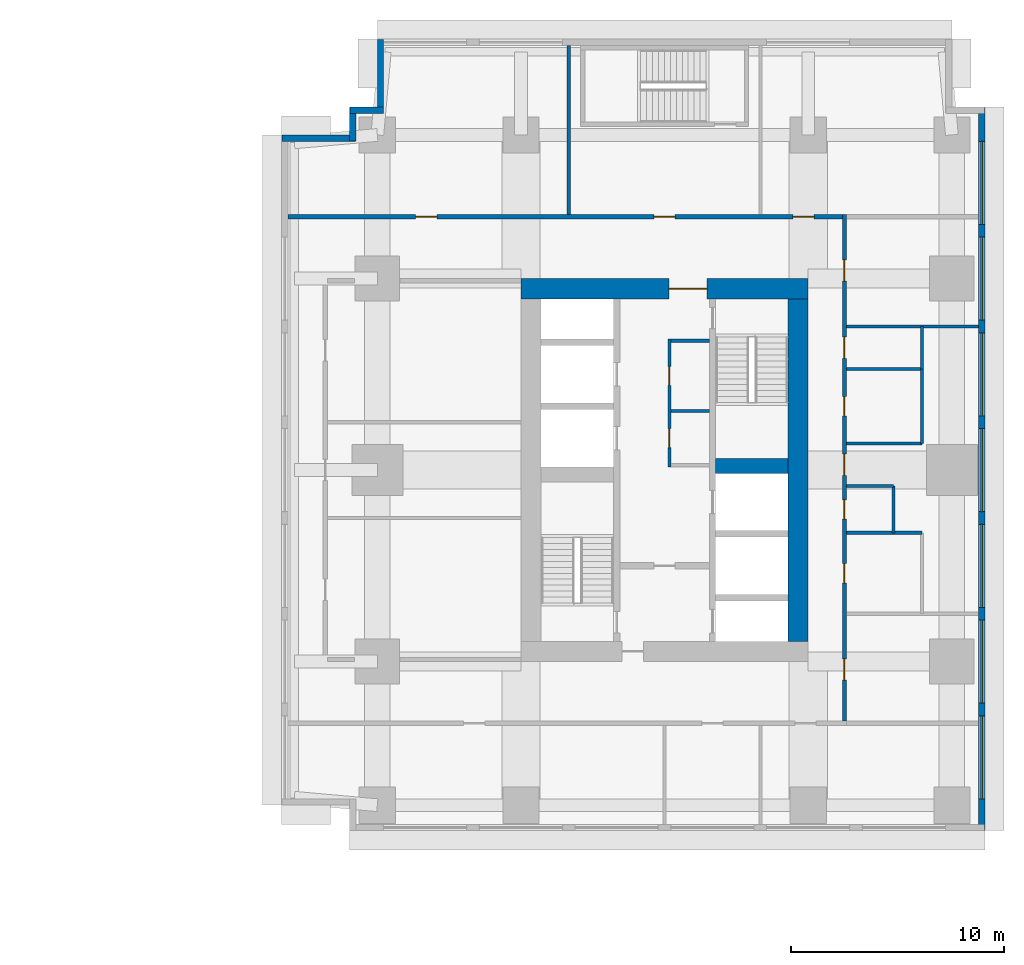
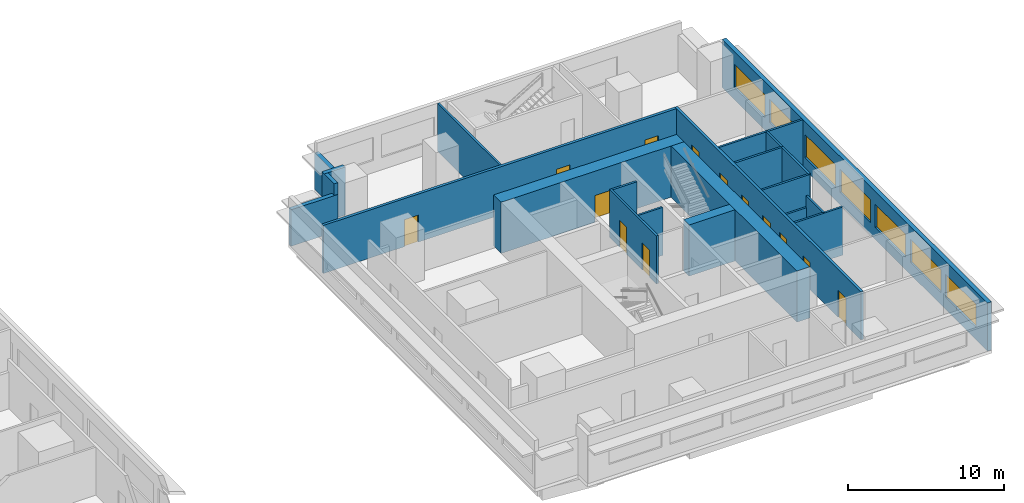
# One storey, part 7 of 11: 22 walls, 13 doors, 7 windows, 20 openings.
"""IFC4 building model written with IfcOpenShell, lengths in metres."""

from ifc_helpers import new_model, si_unit, direction, frame, frame_2d, origin, place, context, subcontext, project, spatial, rectangle, extrude, material, layer, layer_set, type_object, element, fill, save


model = new_model("IFC4")

# Units and contexts
model_context = context("Model", 3, precision=1e-05, world=origin(), true_north=direction((0.0, 1.0)))
body_context = subcontext(model_context, "Body", "Model", "MODEL_VIEW")
ifc_project = project(units=[si_unit("LENGTHUNIT", "METRE"), si_unit("AREAUNIT", "SQUARE_METRE"), si_unit("VOLUMEUNIT", "CUBIC_METRE"), si_unit("PLANEANGLEUNIT", "RADIAN"), si_unit("MASSUNIT", "GRAM", prefix="KILO")], contexts=[model_context])

# Site, building, storey
site_placement = place(None, origin())
site = spatial("IfcSite", under=ifc_project, at=site_placement, CompositionType="ELEMENT")
building_placement = place(site_placement, origin())
building = spatial("IfcBuilding", under=site, at=building_placement, Name="Namib Vertical Campus", CompositionType="ELEMENT")
storey_placement = place(building_placement, frame((0.0, 0.0, 97.0)))
storey = spatial("IfcBuildingStorey", under=building, at=storey_placement, Name="L22", CompositionType="ELEMENT", Elevation=97.0)

# Walls
ifc_material_1 = material(Name="Concrete C60/75", Category="concrete")
ifc_layer_1 = layer(ifc_material_1, 0.699951171875)
ifc_layer_set_1 = layer_set([ifc_layer_1], Name="Concrete C60/75")
wall_type_1 = type_object("IfcWallType", Name="Core shear wall 700", PredefinedType="SHEAR", material=ifc_layer_set_1)
wall_1_placement = place(storey_placement, frame((83.39990234375, 20.449951171875, 0.0), z_axis=(0.0, 0.0, 1.0), x_axis=(1.0, 0.0, 0.0)))
element("IfcWall", 1, at=wall_1_placement, inside=storey, type_object=wall_type_1, Name="Core shear wall B L22 W7", PredefinedType="SHEAR", context=body_context, shape_type="SweptSolid", body=[
    extrude(rectangle(XDim=3.400146484375, YDim=0.699951171875, at=frame_2d((1.7001953125, 0.0))), origin(), (0.0, 0.0, 1.0), 4.0),
])
ifc_material_2 = material(Name="Concrete C60/75", Category="concrete")
ifc_layer_2 = layer(ifc_material_2, 0.949951171875)
ifc_layer_set_2 = layer_set([ifc_layer_2], Name="Concrete C60/75")
wall_type_2 = type_object("IfcWallType", Name="Core wall 950", PredefinedType="SHEAR", material=ifc_layer_set_2)
wall_2_placement = place(storey_placement, frame((87.27490234375, 12.199951171875, 0.0), z_axis=(0.0, 0.0, 1.0), x_axis=(0.0, 1.0, 0.0)))
element("IfcWall", 2, at=wall_2_placement, inside=storey, type_object=wall_type_2, Name="Core wall B L22 2", PredefinedType="SHEAR", context=body_context, shape_type="SweptSolid", body=[
    extrude(rectangle(XDim=16.10009765625, YDim=0.949951171875, at=frame_2d((8.050048828125, 0.0))), origin(), (0.0, 0.0, 1.0), 4.0),
])

# Wall, opening, door
wall_3_placement = place(storey_placement, frame((87.75, 28.77490234375, 0.0), z_axis=(0.0, 0.0, 1.0), x_axis=(-1.0, 0.0, 0.0)))
wall_3 = element("IfcWall", 3, at=wall_3_placement, inside=storey, type_object=wall_type_2, Name="Core wall B L22 3", PredefinedType="SHEAR", context=body_context, shape_type="SweptSolid", body=[
    extrude(rectangle(XDim=13.5, YDim=0.949951171875, at=frame_2d((6.75, 0.0))), origin(), (0.0, 0.0, 1.0), 4.0),
])
opening_1_placement = place(wall_3_placement, frame((4.75, 0.0, 0.0)))
opening_1 = element("IfcOpeningElement", 4, at=opening_1_placement, cuts=wall_3, Name="Opening FD2", PredefinedType="OPENING", context=body_context, shape_type="SweptSolid", body=[
    extrude(rectangle(XDim=1.800048828125, YDim=2.10009765625, at=frame_2d((0.89990234375, 1.050048828125))), frame((0.0, 0.48486328125, 0.0), z_axis=(0.0, -1.0, 0.0), x_axis=(1.0, 0.0, 0.0)), (0.0, 0.0, 1.0), 0.969970703125),
])
ifc_material_3 = material(Name="Steel fire door", Category="steel")
door_type_1 = type_object("IfcDoorType", Name="Fire door double 1800x2100", OperationType="DOUBLE_DOOR_SINGLE_SWING", PredefinedType="DOOR", material=ifc_material_3)
door_1_placement = place(opening_1_placement, origin())
door_1 = element("IfcDoor", 5, at=door_1_placement, inside=storey, type_object=door_type_1, Name="Lift lobby door FD2 B L22", OperationType="DOUBLE_DOOR_SINGLE_SWING", OverallHeight=2.10009765625, OverallWidth=1.800048828125, PredefinedType="DOOR", context=body_context, shape_type="SweptSolid", body=[
    extrude(rectangle(XDim=1.800048828125, YDim=2.10009765625, at=frame_2d((0.89990234375, 1.050048828125))), frame((0.0, 0.02490234375, 0.0), z_axis=(0.0, -1.0, 0.0), x_axis=(1.0, 0.0, 0.0)), (0.0, 0.0, 1.0), 0.050048828125),
])
fill(opening_1, door_1)

# Wall, openings, doors
ifc_material_4 = material(Name="Concrete masonry", Category="masonry")
ifc_layer_3 = layer(ifc_material_4, 0.199951171875)
ifc_layer_set_3 = layer_set([ifc_layer_3], Name="Corridor wall 200")
wall_type_3 = type_object("IfcWallType", Name="Corridor wall 200", PredefinedType="SOLIDWALL", material=ifc_layer_set_3)
wall_4_placement = place(storey_placement, frame((89.449951171875, 8.449951171875, 0.0), z_axis=(0.0, 0.0, 1.0), x_axis=(0.0, 1.0, 0.0)))
wall_4 = element("IfcWall", 6, at=wall_4_placement, inside=storey, type_object=wall_type_3, Name="Corridor wall B L22 CE", PredefinedType="SOLIDWALL", context=body_context, shape_type="SweptSolid", body=[
    extrude(rectangle(XDim=23.800048828125, YDim=0.199951171875, at=frame_2d((11.89990234375, 0.0))), origin(), (0.0, 0.0, 1.0), 3.75),
])
opening_2_placement = place(wall_4_placement, frame((1.925048828125, 0.0, 0.0)))
opening_2 = element("IfcOpeningElement", 7, at=opening_2_placement, cuts=wall_4, Name="Opening CD1", PredefinedType="OPENING", context=body_context, shape_type="SweptSolid", body=[
    extrude(rectangle(XDim=1.0, YDim=2.10009765625, at=frame_2d((0.5, 1.050048828125))), frame((0.0, 0.10986328125, 0.0), z_axis=(0.0, -1.0, 0.0), x_axis=(1.0, 0.0, 0.0)), (0.0, 0.0, 1.0), 0.219970703125),
])
opening_3_placement = place(wall_4_placement, frame((6.5, 0.0, 0.0)))
opening_3 = element("IfcOpeningElement", 8, at=opening_3_placement, cuts=wall_4, Name="Opening CD3", PredefinedType="OPENING", context=body_context, shape_type="SweptSolid", body=[
    extrude(rectangle(XDim=0.89990234375, YDim=2.10009765625, at=frame_2d((0.449951171875, 1.050048828125))), frame((0.0, 0.10986328125, 0.0), z_axis=(0.0, -1.0, 0.0), x_axis=(1.0, 0.0, 0.0)), (0.0, 0.0, 1.0), 0.219970703125),
])
opening_4_placement = place(wall_4_placement, frame((9.5, 0.0, 0.0)))
opening_4 = element("IfcOpeningElement", 9, at=opening_4_placement, cuts=wall_4, Name="Opening CD3", PredefinedType="OPENING", context=body_context, shape_type="SweptSolid", body=[
    extrude(rectangle(XDim=0.89990234375, YDim=2.10009765625, at=frame_2d((0.449951171875, 1.050048828125))), frame((0.0, 0.10986328125, 0.0), z_axis=(0.0, -1.0, 0.0), x_axis=(1.0, 0.0, 0.0)), (0.0, 0.0, 1.0), 0.219970703125),
])
opening_5_placement = place(wall_4_placement, frame((14.35009765625, 0.0, 0.0)))
opening_5 = element("IfcOpeningElement", 10, at=opening_5_placement, cuts=wall_4, Name="Opening CD3", PredefinedType="OPENING", context=body_context, shape_type="SweptSolid", body=[
    extrude(rectangle(XDim=0.89990234375, YDim=2.10009765625, at=frame_2d((0.449951171875, 1.050048828125))), frame((0.0, 0.10986328125, 0.0), z_axis=(0.0, -1.0, 0.0), x_axis=(1.0, 0.0, 0.0)), (0.0, 0.0, 1.0), 0.219970703125),
])
opening_6_placement = place(wall_4_placement, frame((17.050048828125, 0.0, 0.0)))
opening_6 = element("IfcOpeningElement", 11, at=opening_6_placement, cuts=wall_4, Name="Opening CD1", PredefinedType="OPENING", context=body_context, shape_type="SweptSolid", body=[
    extrude(rectangle(XDim=1.0, YDim=2.10009765625, at=frame_2d((0.5, 1.050048828125))), frame((0.0, 0.10986328125, 0.0), z_axis=(0.0, -1.0, 0.0), x_axis=(1.0, 0.0, 0.0)), (0.0, 0.0, 1.0), 0.219970703125),
])
opening_7_placement = place(wall_4_placement, frame((11.550048828125, 0.0, 0.0)))
opening_7 = element("IfcOpeningElement", 12, at=opening_7_placement, cuts=wall_4, Name="Opening CD1", PredefinedType="OPENING", context=body_context, shape_type="SweptSolid", body=[
    extrude(rectangle(XDim=1.0, YDim=2.10009765625, at=frame_2d((0.5, 1.050048828125))), frame((0.0, 0.10986328125, 0.0), z_axis=(0.0, -1.0, 0.0), x_axis=(1.0, 0.0, 0.0)), (0.0, 0.0, 1.0), 0.219970703125),
])
opening_8_placement = place(wall_4_placement, frame((20.675048828125, 0.0, 0.0)))
opening_8 = element("IfcOpeningElement", 13, at=opening_8_placement, cuts=wall_4, Name="Opening CD1", PredefinedType="OPENING", context=body_context, shape_type="SweptSolid", body=[
    extrude(rectangle(XDim=1.0, YDim=2.10009765625, at=frame_2d((0.5, 1.050048828125))), frame((0.0, 0.10986328125, 0.0), z_axis=(0.0, -1.0, 0.0), x_axis=(1.0, 0.0, 0.0)), (0.0, 0.0, 1.0), 0.219970703125),
])
ifc_material_5 = material(Name="Timber fire door leaf", Category="wood")
door_type_2 = type_object("IfcDoorType", Name="Corridor door 1000x2100 20 min", OperationType="SINGLE_SWING_LEFT", PredefinedType="DOOR", material=ifc_material_5)
door_2_placement = place(opening_2_placement, frame((1.0, 0.0, 0.0), z_axis=(0.0, 0.0, 1.0), x_axis=(-1.0, 0.0, 0.0)))
door_2 = element("IfcDoor", 14, at=door_2_placement, inside=storey, type_object=door_type_2, Name="Door CD1 B22-04", OperationType="SINGLE_SWING_RIGHT", OverallHeight=2.10009765625, OverallWidth=1.0, PredefinedType="DOOR", context=body_context, shape_type="SweptSolid", body=[
    extrude(rectangle(XDim=1.0, YDim=2.10009765625, at=frame_2d((0.5, 1.050048828125))), frame((0.0, 0.02490234375, 0.0), z_axis=(0.0, -1.0, 0.0), x_axis=(1.0, 0.0, 0.0)), (0.0, 0.0, 1.0), 0.050048828125),
])
fill(opening_2, door_2)
door_3_placement = place(opening_6_placement, frame((1.0, 0.0, 0.0), z_axis=(0.0, 0.0, 1.0), x_axis=(-1.0, 0.0, 0.0)))
door_3 = element("IfcDoor", 15, at=door_3_placement, inside=storey, type_object=door_type_2, Name="Door CD1 B22-08", OperationType="SINGLE_SWING_RIGHT", OverallHeight=2.10009765625, OverallWidth=1.0, PredefinedType="DOOR", context=body_context, shape_type="SweptSolid", body=[
    extrude(rectangle(XDim=1.0, YDim=2.10009765625, at=frame_2d((0.5, 1.050048828125))), frame((0.0, 0.02490234375, 0.0), z_axis=(0.0, -1.0, 0.0), x_axis=(1.0, 0.0, 0.0)), (0.0, 0.0, 1.0), 0.050048828125),
])
fill(opening_6, door_3)
door_4_placement = place(opening_7_placement, frame((1.0, 0.0, 0.0), z_axis=(0.0, 0.0, 1.0), x_axis=(-1.0, 0.0, 0.0)))
door_4 = element("IfcDoor", 16, at=door_4_placement, inside=storey, type_object=door_type_2, Name="Door CD1 B22-09", OperationType="SINGLE_SWING_RIGHT", OverallHeight=2.10009765625, OverallWidth=1.0, PredefinedType="DOOR", context=body_context, shape_type="SweptSolid", body=[
    extrude(rectangle(XDim=1.0, YDim=2.10009765625, at=frame_2d((0.5, 1.050048828125))), frame((0.0, 0.02490234375, 0.0), z_axis=(0.0, -1.0, 0.0), x_axis=(1.0, 0.0, 0.0)), (0.0, 0.0, 1.0), 0.050048828125),
])
fill(opening_7, door_4)
door_5_placement = place(opening_8_placement, frame((1.0, 0.0, 0.0), z_axis=(0.0, 0.0, 1.0), x_axis=(-1.0, 0.0, 0.0)))
door_5 = element("IfcDoor", 17, at=door_5_placement, inside=storey, type_object=door_type_2, Name="Door CD1 B22-10", OperationType="SINGLE_SWING_RIGHT", OverallHeight=2.10009765625, OverallWidth=1.0, PredefinedType="DOOR", context=body_context, shape_type="SweptSolid", body=[
    extrude(rectangle(XDim=1.0, YDim=2.10009765625, at=frame_2d((0.5, 1.050048828125))), frame((0.0, 0.02490234375, 0.0), z_axis=(0.0, -1.0, 0.0), x_axis=(1.0, 0.0, 0.0)), (0.0, 0.0, 1.0), 0.050048828125),
])
fill(opening_8, door_5)
ifc_material_6 = material(Name="Timber fire door leaf", Category="wood")
door_type_3 = type_object("IfcDoorType", Name="Corridor toilet door 900x2100 20 min", OperationType="SINGLE_SWING_LEFT", PredefinedType="DOOR", material=ifc_material_6)
door_6_placement = place(opening_3_placement, frame((0.89990234375, 0.0, 0.0), z_axis=(0.0, 0.0, 1.0), x_axis=(-1.0, 0.0, 0.0)))
door_6 = element("IfcDoor", 18, at=door_6_placement, inside=storey, type_object=door_type_3, Name="Door CD3 B22-05", OperationType="SINGLE_SWING_RIGHT", OverallHeight=2.10009765625, OverallWidth=0.89990234375, PredefinedType="DOOR", context=body_context, shape_type="SweptSolid", body=[
    extrude(rectangle(XDim=0.89990234375, YDim=2.10009765625, at=frame_2d((0.449951171875, 1.050048828125))), frame((0.0, 0.02490234375, 0.0), z_axis=(0.0, -1.0, 0.0), x_axis=(1.0, 0.0, 0.0)), (0.0, 0.0, 1.0), 0.050048828125),
])
fill(opening_3, door_6)
door_7_placement = place(opening_4_placement, frame((0.89990234375, 0.0, 0.0), z_axis=(0.0, 0.0, 1.0), x_axis=(-1.0, 0.0, 0.0)))
door_7 = element("IfcDoor", 19, at=door_7_placement, inside=storey, type_object=door_type_3, Name="Door CD3 B22-06", OperationType="SINGLE_SWING_RIGHT", OverallHeight=2.10009765625, OverallWidth=0.89990234375, PredefinedType="DOOR", context=body_context, shape_type="SweptSolid", body=[
    extrude(rectangle(XDim=0.89990234375, YDim=2.10009765625, at=frame_2d((0.449951171875, 1.050048828125))), frame((0.0, 0.02490234375, 0.0), z_axis=(0.0, -1.0, 0.0), x_axis=(1.0, 0.0, 0.0)), (0.0, 0.0, 1.0), 0.050048828125),
])
fill(opening_4, door_7)
door_8_placement = place(opening_5_placement, frame((0.89990234375, 0.0, 0.0), z_axis=(0.0, 0.0, 1.0), x_axis=(-1.0, 0.0, 0.0)))
door_8 = element("IfcDoor", 20, at=door_8_placement, inside=storey, type_object=door_type_3, Name="Door CD3 B22-07", OperationType="SINGLE_SWING_RIGHT", OverallHeight=2.10009765625, OverallWidth=0.89990234375, PredefinedType="DOOR", context=body_context, shape_type="SweptSolid", body=[
    extrude(rectangle(XDim=0.89990234375, YDim=2.10009765625, at=frame_2d((0.449951171875, 1.050048828125))), frame((0.0, 0.02490234375, 0.0), z_axis=(0.0, -1.0, 0.0), x_axis=(1.0, 0.0, 0.0)), (0.0, 0.0, 1.0), 0.050048828125),
])
fill(opening_5, door_8)

wall_5_placement = place(storey_placement, frame((89.35009765625, 32.14990234375, 0.0), z_axis=(0.0, 0.0, 1.0), x_axis=(-1.0, 0.0, 0.0)))
wall_5 = element("IfcWall", 21, at=wall_5_placement, inside=storey, type_object=wall_type_3, Name="Corridor wall B L22 CN", PredefinedType="SOLIDWALL", context=body_context, shape_type="SweptSolid", body=[
    extrude(rectangle(XDim=26.050048828125, YDim=0.199951171875, at=frame_2d((13.02490234375, 0.0))), origin(), (0.0, 0.0, 1.0), 3.75),
])
opening_9_placement = place(wall_5_placement, frame((19.050048828125, 0.0, 0.0)))
opening_9 = element("IfcOpeningElement", 22, at=opening_9_placement, cuts=wall_5, Name="Opening CD1", PredefinedType="OPENING", context=body_context, shape_type="SweptSolid", body=[
    extrude(rectangle(XDim=1.0, YDim=2.10009765625, at=frame_2d((0.5, 1.050048828125))), frame((0.0, 0.10986328125, 0.0), z_axis=(0.0, -1.0, 0.0), x_axis=(1.0, 0.0, 0.0)), (0.0, 0.0, 1.0), 0.219970703125),
])
opening_10_placement = place(wall_5_placement, frame((7.85009765625, 0.0, 0.0)))
opening_10 = element("IfcOpeningElement", 23, at=opening_10_placement, cuts=wall_5, Name="Opening CD1", PredefinedType="OPENING", context=body_context, shape_type="SweptSolid", body=[
    extrude(rectangle(XDim=1.0, YDim=2.10009765625, at=frame_2d((0.5, 1.050048828125))), frame((0.0, 0.10986328125, 0.0), z_axis=(0.0, -1.0, 0.0), x_axis=(1.0, 0.0, 0.0)), (0.0, 0.0, 1.0), 0.219970703125),
])
opening_11_placement = place(wall_5_placement, frame((1.324951171875, 0.0, 0.0)))
opening_11 = element("IfcOpeningElement", 24, at=opening_11_placement, cuts=wall_5, Name="Opening CD1", PredefinedType="OPENING", context=body_context, shape_type="SweptSolid", body=[
    extrude(rectangle(XDim=1.0, YDim=2.10009765625, at=frame_2d((0.5, 1.050048828125))), frame((0.0, 0.10986328125, 0.0), z_axis=(0.0, -1.0, 0.0), x_axis=(1.0, 0.0, 0.0)), (0.0, 0.0, 1.0), 0.219970703125),
])
door_9_placement = place(opening_9_placement, frame((1.0, 0.0, 0.0), z_axis=(0.0, 0.0, 1.0), x_axis=(-1.0, 0.0, 0.0)))
door_9 = element("IfcDoor", 25, at=door_9_placement, inside=storey, type_object=door_type_2, Name="Door CD1 B22-11", OperationType="SINGLE_SWING_RIGHT", OverallHeight=2.10009765625, OverallWidth=1.0, PredefinedType="DOOR", context=body_context, shape_type="SweptSolid", body=[
    extrude(rectangle(XDim=1.0, YDim=2.10009765625, at=frame_2d((0.5, 1.050048828125))), frame((0.0, 0.02490234375, 0.0), z_axis=(0.0, -1.0, 0.0), x_axis=(1.0, 0.0, 0.0)), (0.0, 0.0, 1.0), 0.050048828125),
])
fill(opening_9, door_9)
door_10_placement = place(opening_10_placement, frame((1.0, 0.0, 0.0), z_axis=(0.0, 0.0, 1.0), x_axis=(-1.0, 0.0, 0.0)))
door_10 = element("IfcDoor", 26, at=door_10_placement, inside=storey, type_object=door_type_2, Name="Door CD1 B22-12", OperationType="SINGLE_SWING_RIGHT", OverallHeight=2.10009765625, OverallWidth=1.0, PredefinedType="DOOR", context=body_context, shape_type="SweptSolid", body=[
    extrude(rectangle(XDim=1.0, YDim=2.10009765625, at=frame_2d((0.5, 1.050048828125))), frame((0.0, 0.02490234375, 0.0), z_axis=(0.0, -1.0, 0.0), x_axis=(1.0, 0.0, 0.0)), (0.0, 0.0, 1.0), 0.050048828125),
])
fill(opening_10, door_10)
door_11_placement = place(opening_11_placement, frame((1.0, 0.0, 0.0), z_axis=(0.0, 0.0, 1.0), x_axis=(-1.0, 0.0, 0.0)))
door_11 = element("IfcDoor", 27, at=door_11_placement, inside=storey, type_object=door_type_2, Name="Door CD1 B22-13", OperationType="SINGLE_SWING_LEFT", OverallHeight=2.10009765625, OverallWidth=1.0, PredefinedType="DOOR", context=body_context, shape_type="SweptSolid", body=[
    extrude(rectangle(XDim=1.0, YDim=2.10009765625, at=frame_2d((0.5, 1.050048828125))), frame((0.0, 0.02490234375, 0.0), z_axis=(0.0, -1.0, 0.0), x_axis=(1.0, 0.0, 0.0)), (0.0, 0.0, 1.0), 0.050048828125),
])
fill(opening_11, door_11)

# Wall, openings, windows
ifc_material_7 = material(Name="Concrete C40/50", Category="concrete")
ifc_layer_4 = layer(ifc_material_7, 0.300048828125)
ifc_layer_set_4 = layer_set([ifc_layer_4], Name="Concrete C40/50")
wall_type_4 = type_object("IfcWallType", Name="External wall 300 board-marked concrete", PredefinedType="STANDARD", material=ifc_layer_set_4)
wall_6_placement = place(storey_placement, frame((95.89990234375, 3.320068359375, 0.0), z_axis=(0.0, 0.0, 1.0), x_axis=(0.0, 1.0, 0.0)))
wall_6 = element("IfcWall", 28, at=wall_6_placement, inside=storey, type_object=wall_type_4, Name="External wall L22 F04", PredefinedType="STANDARD", context=body_context, shape_type="SweptSolid", body=[
    extrude(rectangle(XDim=33.9599609375, YDim=0.300048828125, at=frame_2d((16.97998046875, 0.0))), origin(), (0.0, 0.0, 1.0), 3.75),
])
opening_12_placement = place(wall_6_placement, frame((1.47998046875, 0.0, 0.949951171875)))
opening_12 = element("IfcOpeningElement", 29, at=opening_12_placement, cuts=wall_6, Name="Opening W3", PredefinedType="OPENING", context=body_context, shape_type="SweptSolid", body=[
    extrude(rectangle(XDim=3.89990234375, YDim=1.800048828125, at=frame_2d((1.949951171875, 0.89990234375))), frame((0.0, 0.159912109375, 0.0), z_axis=(0.0, -1.0, 0.0), x_axis=(1.0, 0.0, 0.0)), (0.0, 0.0, 1.0), 0.320068359375),
])
opening_13_placement = place(wall_6_placement, frame((5.97998046875, 0.0, 0.949951171875)))
opening_13 = element("IfcOpeningElement", 30, at=opening_13_placement, cuts=wall_6, Name="Opening W3", PredefinedType="OPENING", context=body_context, shape_type="SweptSolid", body=[
    extrude(rectangle(XDim=3.89990234375, YDim=1.800048828125, at=frame_2d((1.949951171875, 0.89990234375))), frame((0.0, 0.159912109375, 0.0), z_axis=(0.0, -1.0, 0.0), x_axis=(1.0, 0.0, 0.0)), (0.0, 0.0, 1.0), 0.320068359375),
])
opening_14_placement = place(wall_6_placement, frame((10.47998046875, 0.0, 0.949951171875)))
opening_14 = element("IfcOpeningElement", 31, at=opening_14_placement, cuts=wall_6, Name="Opening W3", PredefinedType="OPENING", context=body_context, shape_type="SweptSolid", body=[
    extrude(rectangle(XDim=3.89990234375, YDim=1.800048828125, at=frame_2d((1.949951171875, 0.89990234375))), frame((0.0, 0.159912109375, 0.0), z_axis=(0.0, -1.0, 0.0), x_axis=(1.0, 0.0, 0.0)), (0.0, 0.0, 1.0), 0.320068359375),
])
opening_15_placement = place(wall_6_placement, frame((14.97998046875, 0.0, 0.949951171875)))
opening_15 = element("IfcOpeningElement", 32, at=opening_15_placement, cuts=wall_6, Name="Opening W3", PredefinedType="OPENING", context=body_context, shape_type="SweptSolid", body=[
    extrude(rectangle(XDim=3.89990234375, YDim=1.800048828125, at=frame_2d((1.949951171875, 0.89990234375))), frame((0.0, 0.159912109375, 0.0), z_axis=(0.0, -1.0, 0.0), x_axis=(1.0, 0.0, 0.0)), (0.0, 0.0, 1.0), 0.320068359375),
])
opening_16_placement = place(wall_6_placement, frame((19.47998046875, 0.0, 0.949951171875)))
opening_16 = element("IfcOpeningElement", 33, at=opening_16_placement, cuts=wall_6, Name="Opening W3", PredefinedType="OPENING", context=body_context, shape_type="SweptSolid", body=[
    extrude(rectangle(XDim=3.89990234375, YDim=1.800048828125, at=frame_2d((1.949951171875, 0.89990234375))), frame((0.0, 0.159912109375, 0.0), z_axis=(0.0, -1.0, 0.0), x_axis=(1.0, 0.0, 0.0)), (0.0, 0.0, 1.0), 0.320068359375),
])
opening_17_placement = place(wall_6_placement, frame((23.97998046875, 0.0, 0.949951171875)))
opening_17 = element("IfcOpeningElement", 34, at=opening_17_placement, cuts=wall_6, Name="Opening W3", PredefinedType="OPENING", context=body_context, shape_type="SweptSolid", body=[
    extrude(rectangle(XDim=3.89990234375, YDim=1.800048828125, at=frame_2d((1.949951171875, 0.89990234375))), frame((0.0, 0.159912109375, 0.0), z_axis=(0.0, -1.0, 0.0), x_axis=(1.0, 0.0, 0.0)), (0.0, 0.0, 1.0), 0.320068359375),
])
opening_18_placement = place(wall_6_placement, frame((28.47998046875, 0.0, 0.949951171875)))
opening_18 = element("IfcOpeningElement", 35, at=opening_18_placement, cuts=wall_6, Name="Opening W3", PredefinedType="OPENING", context=body_context, shape_type="SweptSolid", body=[
    extrude(rectangle(XDim=3.89990234375, YDim=1.800048828125, at=frame_2d((1.949951171875, 0.89990234375))), frame((0.0, 0.159912109375, 0.0), z_axis=(0.0, -1.0, 0.0), x_axis=(1.0, 0.0, 0.0)), (0.0, 0.0, 1.0), 0.320068359375),
])
ifc_material_8 = material(Name="Dark tinted glass in black aluminium frame", Category="aluminium")
window_type = type_object("IfcWindowType", Name="Ribbon window 3900x1800", PartitioningType="SINGLE_PANEL", PredefinedType="WINDOW", material=ifc_material_8)
window_1_placement = place(opening_12_placement, origin())
window_1 = element("IfcWindow", 36, at=window_1_placement, inside=storey, type_object=window_type, Name="Window W3 L22 F04-1", OverallHeight=1.800048828125, OverallWidth=3.89990234375, PartitioningType="SINGLE_PANEL", PredefinedType="WINDOW", context=body_context, shape_type="SweptSolid", body=[
    extrude(rectangle(XDim=3.89990234375, YDim=1.800048828125, at=frame_2d((1.949951171875, 0.89990234375))), frame((0.0, 0.030029296875, 0.0), z_axis=(0.0, -1.0, 0.0), x_axis=(1.0, 0.0, 0.0)), (0.0, 0.0, 1.0), 0.06005859375),
])
fill(opening_12, window_1)
window_2_placement = place(opening_13_placement, origin())
window_2 = element("IfcWindow", 37, at=window_2_placement, inside=storey, type_object=window_type, Name="Window W3 L22 F04-2", OverallHeight=1.800048828125, OverallWidth=3.89990234375, PartitioningType="SINGLE_PANEL", PredefinedType="WINDOW", context=body_context, shape_type="SweptSolid", body=[
    extrude(rectangle(XDim=3.89990234375, YDim=1.800048828125, at=frame_2d((1.949951171875, 0.89990234375))), frame((0.0, 0.030029296875, 0.0), z_axis=(0.0, -1.0, 0.0), x_axis=(1.0, 0.0, 0.0)), (0.0, 0.0, 1.0), 0.06005859375),
])
fill(opening_13, window_2)
window_3_placement = place(opening_14_placement, origin())
window_3 = element("IfcWindow", 38, at=window_3_placement, inside=storey, type_object=window_type, Name="Window W3 L22 F04-3", OverallHeight=1.800048828125, OverallWidth=3.89990234375, PartitioningType="SINGLE_PANEL", PredefinedType="WINDOW", context=body_context, shape_type="SweptSolid", body=[
    extrude(rectangle(XDim=3.89990234375, YDim=1.800048828125, at=frame_2d((1.949951171875, 0.89990234375))), frame((0.0, 0.030029296875, 0.0), z_axis=(0.0, -1.0, 0.0), x_axis=(1.0, 0.0, 0.0)), (0.0, 0.0, 1.0), 0.06005859375),
])
fill(opening_14, window_3)
window_4_placement = place(opening_15_placement, origin())
window_4 = element("IfcWindow", 39, at=window_4_placement, inside=storey, type_object=window_type, Name="Window W3 L22 F04-4", OverallHeight=1.800048828125, OverallWidth=3.89990234375, PartitioningType="SINGLE_PANEL", PredefinedType="WINDOW", context=body_context, shape_type="SweptSolid", body=[
    extrude(rectangle(XDim=3.89990234375, YDim=1.800048828125, at=frame_2d((1.949951171875, 0.89990234375))), frame((0.0, 0.030029296875, 0.0), z_axis=(0.0, -1.0, 0.0), x_axis=(1.0, 0.0, 0.0)), (0.0, 0.0, 1.0), 0.06005859375),
])
fill(opening_15, window_4)
window_5_placement = place(opening_16_placement, origin())
window_5 = element("IfcWindow", 40, at=window_5_placement, inside=storey, type_object=window_type, Name="Window W3 L22 F04-5", OverallHeight=1.800048828125, OverallWidth=3.89990234375, PartitioningType="SINGLE_PANEL", PredefinedType="WINDOW", context=body_context, shape_type="SweptSolid", body=[
    extrude(rectangle(XDim=3.89990234375, YDim=1.800048828125, at=frame_2d((1.949951171875, 0.89990234375))), frame((0.0, 0.030029296875, 0.0), z_axis=(0.0, -1.0, 0.0), x_axis=(1.0, 0.0, 0.0)), (0.0, 0.0, 1.0), 0.06005859375),
])
fill(opening_16, window_5)
window_6_placement = place(opening_17_placement, origin())
window_6 = element("IfcWindow", 41, at=window_6_placement, inside=storey, type_object=window_type, Name="Window W3 L22 F04-6", OverallHeight=1.800048828125, OverallWidth=3.89990234375, PartitioningType="SINGLE_PANEL", PredefinedType="WINDOW", context=body_context, shape_type="SweptSolid", body=[
    extrude(rectangle(XDim=3.89990234375, YDim=1.800048828125, at=frame_2d((1.949951171875, 0.89990234375))), frame((0.0, 0.030029296875, 0.0), z_axis=(0.0, -1.0, 0.0), x_axis=(1.0, 0.0, 0.0)), (0.0, 0.0, 1.0), 0.06005859375),
])
fill(opening_17, window_6)
window_7_placement = place(opening_18_placement, origin())
window_7 = element("IfcWindow", 42, at=window_7_placement, inside=storey, type_object=window_type, Name="Window W3 L22 F04-7", OverallHeight=1.800048828125, OverallWidth=3.89990234375, PartitioningType="SINGLE_PANEL", PredefinedType="WINDOW", context=body_context, shape_type="SweptSolid", body=[
    extrude(rectangle(XDim=3.89990234375, YDim=1.800048828125, at=frame_2d((1.949951171875, 0.89990234375))), frame((0.0, 0.030029296875, 0.0), z_axis=(0.0, -1.0, 0.0), x_axis=(1.0, 0.0, 0.0)), (0.0, 0.0, 1.0), 0.06005859375),
])
fill(opening_18, window_7)

# Walls
wall_7_placement = place(storey_placement, frame((67.64990234375, 40.47998046875, 0.0), z_axis=(0.0, 0.0, 1.0), x_axis=(0.0, -1.0, 0.0)))
element("IfcWall", 43, at=wall_7_placement, inside=storey, type_object=wall_type_4, Name="External wall L22 F08", PredefinedType="STANDARD", context=body_context, shape_type="SweptSolid", body=[
    extrude(rectangle(XDim=3.4599609375, YDim=0.300048828125, at=frame_2d((1.72998046875, 0.0))), origin(), (0.0, 0.0, 1.0), 2.85009765625),
])
for number, where, z_axis, x_axis, name in (
    (44, (67.780029296875, 37.14990234375, 0.0), (0.0, 0.0, 1.0), (-1.0, 0.0, 0.0), "External wall L22 F09"),
    (45, (66.35009765625, 37.280029296875, 0.0), (0.0, 0.0, 1.0), (0.0, -1.0, 0.0), "External wall L22 F10"),
):
    element("IfcWall", number, at=place(storey_placement, frame(where, z_axis=z_axis, x_axis=x_axis)), inside=storey, type_object=wall_type_4, Name=name, PredefinedType="STANDARD", context=body_context, shape_type="SweptSolid", body=[
        extrude(rectangle(XDim=1.56005859375, YDim=0.300048828125, at=frame_2d((0.780029296875, 0.0))), origin(), (0.0, 0.0, 1.0), 3.75),
    ])
wall_8_placement = place(storey_placement, frame((66.47998046875, 35.85009765625, 0.0), z_axis=(0.0, 0.0, 1.0), x_axis=(-1.0, 0.0, 0.0)))
element("IfcWall", 46, at=wall_8_placement, inside=storey, type_object=wall_type_4, Name="External wall L22 F11", PredefinedType="STANDARD", context=body_context, shape_type="SweptSolid", body=[
    extrude(rectangle(XDim=3.4599609375, YDim=0.300048828125, at=frame_2d((1.72998046875, 0.0))), origin(), (0.0, 0.0, 1.0), 2.85009765625),
])

# Wall, openings, doors
ifc_material_9 = material(Name="Gypsum board on steel studs", Category="steel")
ifc_layer_5 = layer(ifc_material_9, 0.14990234375)
ifc_layer_set_5 = layer_set([ifc_layer_5], Name="Gypsum board on steel studs")
wall_type_5 = type_object("IfcWallType", Name="Partition 150", PredefinedType="PARTITIONING", material=ifc_layer_set_5)
wall_9_placement = place(storey_placement, frame((81.22509765625, 20.39990234375, 0.0), z_axis=(0.0, 0.0, 1.0), x_axis=(0.0, 1.0, 0.0)))
wall_9 = element("IfcWall", 47, at=wall_9_placement, inside=storey, type_object=wall_type_5, Name="Partition B L22 Comms room and Store front", PredefinedType="PARTITIONING", context=body_context, shape_type="SweptSolid", body=[
    extrude(rectangle(XDim=6.0, YDim=0.14990234375, at=frame_2d((3.0, 0.0))), origin(), (0.0, 0.0, 1.0), 3.75),
])
opening_19_placement = place(wall_9_placement, frame((0.89990234375, 0.0, 0.0)))
opening_19 = element("IfcOpeningElement", 48, at=opening_19_placement, cuts=wall_9, Name="Opening D3", PredefinedType="OPENING", context=body_context, shape_type="SweptSolid", body=[
    extrude(rectangle(XDim=0.89990234375, YDim=2.10009765625, at=frame_2d((0.449951171875, 1.050048828125))), frame((0.0, 0.0849609375, 0.0), z_axis=(0.0, -1.0, 0.0), x_axis=(1.0, 0.0, 0.0)), (0.0, 0.0, 1.0), 0.169921875),
])
opening_20_placement = place(wall_9_placement, frame((3.824951171875, 0.0, 0.0)))
opening_20 = element("IfcOpeningElement", 49, at=opening_20_placement, cuts=wall_9, Name="Opening D3", PredefinedType="OPENING", context=body_context, shape_type="SweptSolid", body=[
    extrude(rectangle(XDim=0.89990234375, YDim=2.10009765625, at=frame_2d((0.449951171875, 1.050048828125))), frame((0.0, 0.0849609375, 0.0), z_axis=(0.0, -1.0, 0.0), x_axis=(1.0, 0.0, 0.0)), (0.0, 0.0, 1.0), 0.169921875),
])
ifc_material_10 = material(Name="Timber door leaf", Category="wood")
door_type_4 = type_object("IfcDoorType", Name="Toilet door 900x2100", OperationType="SINGLE_SWING_LEFT", PredefinedType="DOOR", material=ifc_material_10)
door_12_placement = place(opening_19_placement, frame((0.89990234375, 0.0, 0.0), z_axis=(0.0, 0.0, 1.0), x_axis=(-1.0, 0.0, 0.0)))
door_12 = element("IfcDoor", 50, at=door_12_placement, inside=storey, type_object=door_type_4, Name="Door D3 Comms room B L22", OperationType="SINGLE_SWING_RIGHT", OverallHeight=2.10009765625, OverallWidth=0.89990234375, PredefinedType="DOOR", context=body_context, shape_type="SweptSolid", body=[
    extrude(rectangle(XDim=0.89990234375, YDim=2.10009765625, at=frame_2d((0.449951171875, 1.050048828125))), frame((0.0, 0.02490234375, 0.0), z_axis=(0.0, -1.0, 0.0), x_axis=(1.0, 0.0, 0.0)), (0.0, 0.0, 1.0), 0.050048828125),
])
fill(opening_19, door_12)
door_13_placement = place(opening_20_placement, frame((0.89990234375, 0.0, 0.0), z_axis=(0.0, 0.0, 1.0), x_axis=(-1.0, 0.0, 0.0)))
door_13 = element("IfcDoor", 51, at=door_13_placement, inside=storey, type_object=door_type_4, Name="Door D3 Store B L22", OperationType="SINGLE_SWING_RIGHT", OverallHeight=2.10009765625, OverallWidth=0.89990234375, PredefinedType="DOOR", context=body_context, shape_type="SweptSolid", body=[
    extrude(rectangle(XDim=0.89990234375, YDim=2.10009765625, at=frame_2d((0.449951171875, 1.050048828125))), frame((0.0, 0.02490234375, 0.0), z_axis=(0.0, -1.0, 0.0), x_axis=(1.0, 0.0, 0.0)), (0.0, 0.0, 1.0), 0.050048828125),
])
fill(opening_20, door_13)

# Walls
for number, where, z_axis, x_axis, name in (
    (52, (81.300048828125, 23.02490234375, 0.0), (0.0, 0.0, 1.0), (1.0, 0.0, 0.0), "Partition B L22 Comms room and Store division 2"),
    (53, (81.300048828125, 26.324951171875, 0.0), (0.0, 0.0, 1.0), (1.0, 0.0, 0.0), "Partition B L22 Comms room and Store end 3"),
):
    element("IfcWall", number, at=place(storey_placement, frame(where, z_axis=z_axis, x_axis=x_axis)), inside=storey, type_object=wall_type_5, Name=name, PredefinedType="PARTITIONING", context=body_context, shape_type="SweptSolid", body=[
        extrude(rectangle(XDim=1.800048828125, YDim=0.14990234375, at=frame_2d((0.89990234375, 0.0))), origin(), (0.0, 0.0, 1.0), 3.75),
    ])
wall_10_placement = place(storey_placement, frame((76.5, 32.25, 0.0), z_axis=(0.0, 0.0, 1.0), x_axis=(0.0, 1.0, 0.0)))
element("IfcWall", 54, at=wall_10_placement, inside=storey, type_object=wall_type_5, Name="Partition B L22 PN1", PredefinedType="PARTITIONING", context=body_context, shape_type="SweptSolid", body=[
    extrude(rectangle(XDim=7.949951171875, YDim=0.14990234375, at=frame_2d((3.97509765625, 0.0))), origin(), (0.0, 0.0, 1.0), 3.75),
])
wall_11_placement = place(storey_placement, frame((89.550048828125, 27.0, 0.0), z_axis=(0.0, 0.0, 1.0), x_axis=(1.0, 0.0, 0.0)))
element("IfcWall", 55, at=wall_11_placement, inside=storey, type_object=wall_type_5, Name="Partition B L22 PE2", PredefinedType="PARTITIONING", context=body_context, shape_type="SweptSolid", body=[
    extrude(rectangle(XDim=6.199951171875, YDim=0.14990234375, at=frame_2d((3.10009765625, 0.0))), origin(), (0.0, 0.0, 1.0), 3.75),
])
wall_12_placement = place(storey_placement, frame((89.550048828125, 17.300048828125, 0.0), z_axis=(0.0, 0.0, 1.0), x_axis=(1.0, 0.0, 0.0)))
element("IfcWall", 56, at=wall_12_placement, inside=storey, type_object=wall_type_5, Name="Partition B L22 WR1", PredefinedType="PARTITIONING", context=body_context, shape_type="SweptSolid", body=[
    extrude(rectangle(XDim=3.550048828125, YDim=0.14990234375, at=frame_2d((1.77490234375, 0.0))), origin(), (0.0, 0.0, 1.0), 3.75),
])
wall_13_placement = place(storey_placement, frame((89.550048828125, 19.5, 0.0), z_axis=(0.0, 0.0, 1.0), x_axis=(1.0, 0.0, 0.0)))
element("IfcWall", 57, at=wall_13_placement, inside=storey, type_object=wall_type_5, Name="Partition B L22 WR2", PredefinedType="PARTITIONING", context=body_context, shape_type="SweptSolid", body=[
    extrude(rectangle(XDim=2.199951171875, YDim=0.14990234375, at=frame_2d((1.10009765625, 0.0))), origin(), (0.0, 0.0, 1.0), 2.85009765625),
])
for number, where, z_axis, x_axis, name in (
    (58, (89.550048828125, 21.5, 0.0), (0.0, 0.0, 1.0), (1.0, 0.0, 0.0), "Partition B L22 WR3"),
    (59, (89.550048828125, 25.0, 0.0), (0.0, 0.0, 1.0), (1.0, 0.0, 0.0), "Partition B L22 WR4"),
):
    element("IfcWall", number, at=place(storey_placement, frame(where, z_axis=z_axis, x_axis=x_axis)), inside=storey, type_object=wall_type_5, Name=name, PredefinedType="PARTITIONING", context=body_context, shape_type="SweptSolid", body=[
        extrude(rectangle(XDim=3.550048828125, YDim=0.14990234375, at=frame_2d((1.77490234375, 0.0))), origin(), (0.0, 0.0, 1.0), 3.75),
    ])
wall_14_placement = place(storey_placement, frame((91.75, 17.300048828125, 0.0), z_axis=(0.0, 0.0, 1.0), x_axis=(0.0, 1.0, 0.0)))
element("IfcWall", 60, at=wall_14_placement, inside=storey, type_object=wall_type_5, Name="Partition B L22 WB2", PredefinedType="PARTITIONING", context=body_context, shape_type="SweptSolid", body=[
    extrude(rectangle(XDim=2.199951171875, YDim=0.14990234375, at=frame_2d((1.10009765625, 0.0))), origin(), (0.0, 0.0, 1.0), 3.75),
])
wall_15_placement = place(storey_placement, frame((93.10009765625, 21.5, 0.0), z_axis=(0.0, 0.0, 1.0), x_axis=(0.0, 1.0, 0.0)))
element("IfcWall", 61, at=wall_15_placement, inside=storey, type_object=wall_type_5, Name="Partition B L22 WB3", PredefinedType="PARTITIONING", context=body_context, shape_type="SweptSolid", body=[
    extrude(rectangle(XDim=3.5, YDim=0.14990234375, at=frame_2d((1.75, 0.0))), origin(), (0.0, 0.0, 1.0), 3.75),
])
wall_16_placement = place(storey_placement, frame((93.10009765625, 25.0, 0.0), z_axis=(0.0, 0.0, 1.0), x_axis=(0.0, 1.0, 0.0)))
element("IfcWall", 62, at=wall_16_placement, inside=storey, type_object=wall_type_5, Name="Partition B L22 WB4", PredefinedType="PARTITIONING", context=body_context, shape_type="SweptSolid", body=[
    extrude(rectangle(XDim=2.0, YDim=0.14990234375, at=frame_2d((1.0, 0.0))), origin(), (0.0, 0.0, 1.0), 3.75),
])

save(model, "model.ifc")
